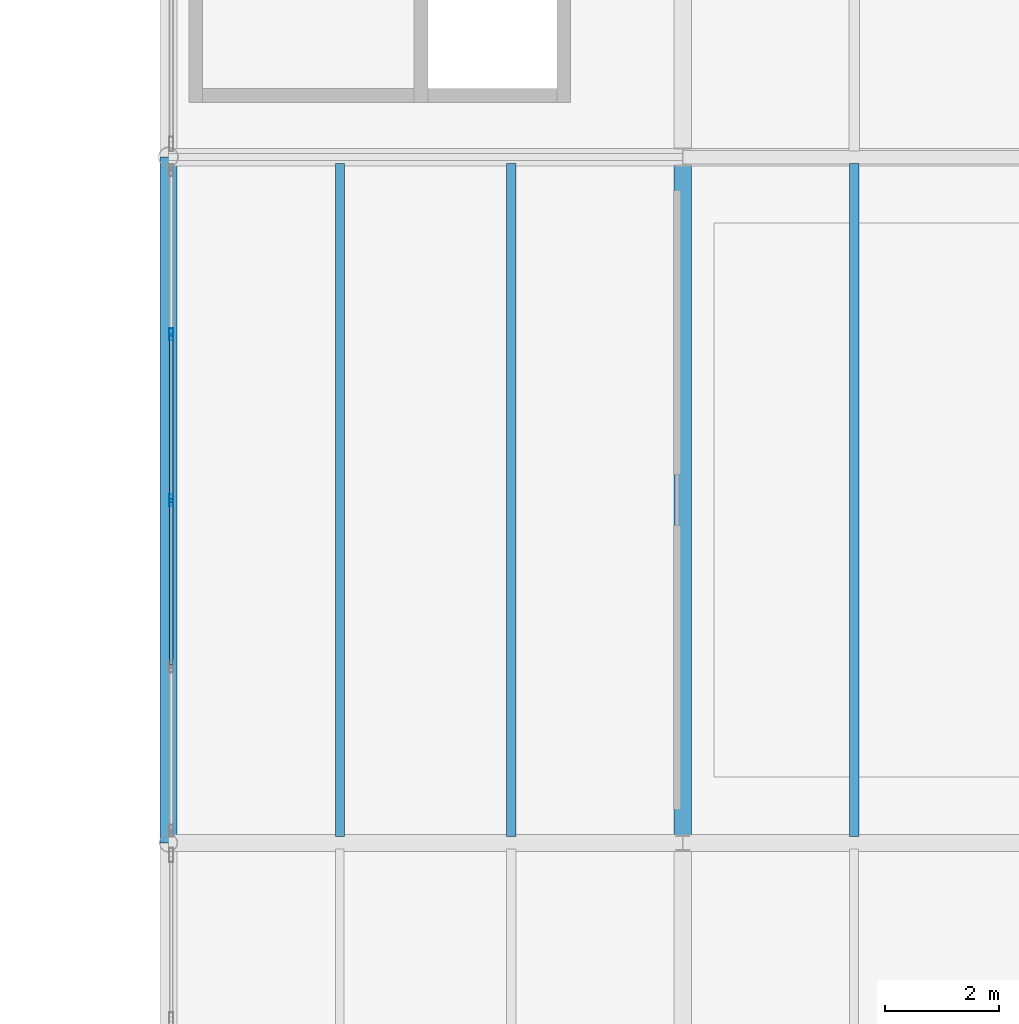
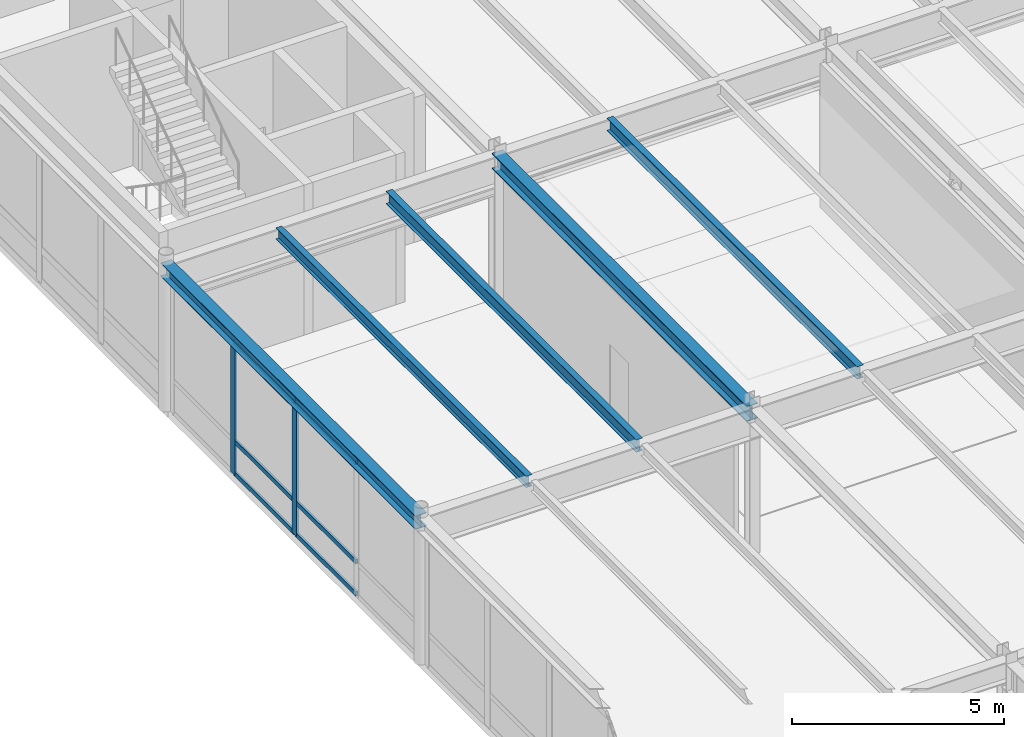
# One storey, part 44 of 127: 8 members, 5 beams, 1 element without a shape of its own.
"""IFC4 building model written with IfcOpenShell, lengths in metres."""

from ifc_helpers import new_model, si_unit, direction, frame, origin, origin_2d, place, context, subcontext, project, spatial, hollow_rectangle, i_section, extrude, material, layer, layer_set, material_profile, profile_set, type_object, element, aggregate, save


model = new_model("IFC4")

# Units and contexts
model_context = context("Model", 3, precision=1e-05, world=origin(), true_north=direction((0.0, 1.0)))
body_context = subcontext(model_context, "Body", "Model", "MODEL_VIEW")
ifc_project = project(units=[si_unit("LENGTHUNIT", "METRE"), si_unit("AREAUNIT", "SQUARE_METRE"), si_unit("VOLUMEUNIT", "CUBIC_METRE"), si_unit("PLANEANGLEUNIT", "RADIAN"), si_unit("MASSUNIT", "GRAM", prefix="KILO")], contexts=[model_context])

# Site, building, storey
site_placement = place(None, origin())
site = spatial("IfcSite", under=ifc_project, at=site_placement, CompositionType="ELEMENT")
building_placement = place(site_placement, origin())
building = spatial("IfcBuilding", under=site, at=building_placement, Name="Montelvaro Courts of Justice", CompositionType="ELEMENT")
storey_placement = place(building_placement, frame((0.0, 0.0, 5.39990234375)))
storey = spatial("IfcBuildingStorey", under=building, at=storey_placement, Name="L01", CompositionType="ELEMENT", Elevation=5.39990234375)

# Beams
ifc_material_1 = material(Name="Steel S355", Category="steel")
ifc_material_profile_1 = material_profile(ifc_material_1, i_section(OverallWidth=0.300048828125, OverallDepth=0.389892578125, WebThickness=0.010986328125, FlangeThickness=0.01904296875, at=origin_2d()), Name="HEA 400")
ifc_profile_set_1 = profile_set([ifc_material_profile_1], Name="Steel S355")
beam_type_1 = type_object("IfcBeamType", Name="Beam_HEA400", PredefinedType="USERDEFINED", material=ifc_profile_set_1)
beam_1_placement = place(storey_placement, frame((99.0, 54.0, 4.025146484375), z_axis=(0.0, 1.0, 0.0), x_axis=(-1.0, 0.0, 0.0)))
element("IfcBeam", 1, at=beam_1_placement, inside=storey, type_object=beam_type_1, Name="Beam B-17 L01", ObjectType="GIRDER", PredefinedType="USERDEFINED", context=body_context, shape_type="SweptSolid", body=[
    extrude(i_section(OverallWidth=0.300048828125, OverallDepth=0.389892578125, WebThickness=0.010986328125, FlangeThickness=0.01904296875, at=origin_2d()), origin(), (0.0, 0.0, 1.0), 12.0),
])
ifc_material_profile_2 = material_profile(ifc_material_1, i_section(OverallWidth=0.300048828125, OverallDepth=0.43994140625, WebThickness=0.011474609375, FlangeThickness=0.02099609375, at=origin_2d()), Name="HEA 450")
ifc_profile_set_2 = profile_set([ifc_material_profile_2], Name="Steel S355")
beam_type_2 = type_object("IfcBeamType", Name="Beam_HEA450", PredefinedType="USERDEFINED", material=ifc_profile_set_2)
beam_2_placement = place(storey_placement, frame((108.0, 54.0, 4.0), z_axis=(0.0, 1.0, 0.0), x_axis=(-1.0, 0.0, 0.0)))
element("IfcBeam", 2, at=beam_2_placement, inside=storey, type_object=beam_type_2, Name="Beam B-18 L01", ObjectType="GIRDER", PredefinedType="USERDEFINED", context=body_context, shape_type="SweptSolid", body=[
    extrude(i_section(OverallWidth=0.300048828125, OverallDepth=0.43994140625, WebThickness=0.011474609375, FlangeThickness=0.02099609375, at=origin_2d()), origin(), (0.0, 0.0, 1.0), 12.0),
])
ifc_material_profile_3 = material_profile(ifc_material_1, i_section(OverallWidth=0.159912109375, OverallDepth=0.330078125, WebThickness=0.007568359375, FlangeThickness=0.011474609375, at=origin_2d()), Name="IPE 330")
ifc_profile_set_3 = profile_set([ifc_material_profile_3], Name="Steel S355")
beam_type_3 = type_object("IfcBeamType", Name="Beam_IPE330", PredefinedType="BEAM", material=ifc_profile_set_3)
beam_3_placement = place(storey_placement, frame((102.0, 54.110107421875, 4.05517578125), z_axis=(0.0, 1.0, 0.0), x_axis=(-1.0, 0.0, 0.0)))
element("IfcBeam", 3, at=beam_3_placement, inside=storey, type_object=beam_type_3, Name="Beam B-06 L01", PredefinedType="BEAM", context=body_context, shape_type="SweptSolid", body=[
    extrude(i_section(OverallWidth=0.159912109375, OverallDepth=0.330078125, WebThickness=0.007568359375, FlangeThickness=0.011474609375, at=origin_2d()), origin(), (0.0, 0.0, 1.0), 11.77978515625),
])
ifc_material_profile_4 = material_profile(ifc_material_1, i_section(OverallWidth=0.169921875, OverallDepth=0.360107421875, WebThickness=0.008056640625, FlangeThickness=0.0126953125, at=origin_2d()), Name="IPE 360")
ifc_profile_set_4 = profile_set([ifc_material_profile_4], Name="Steel S355")
beam_type_4 = type_object("IfcBeamType", Name="Beam_IPE360", PredefinedType="BEAM", material=ifc_profile_set_4)
for number, where, z_axis, x_axis, name in (
    (4, (105.0, 54.110107421875, 4.0400390625), (0.0, 1.0, 0.0), (-1.0, 0.0, 0.0), "Beam B-07 L01"),
    (5, (111.0, 54.110107421875, 4.0400390625), (0.0, 1.0, 0.0), (-1.0, 0.0, 0.0), "Beam B-07 L01"),
):
    element("IfcBeam", number, at=place(storey_placement, frame(where, z_axis=z_axis, x_axis=x_axis)), inside=storey, type_object=beam_type_4, Name=name, PredefinedType="BEAM", context=body_context, shape_type="SweptSolid", body=[
        extrude(i_section(OverallWidth=0.169921875, OverallDepth=0.360107421875, WebThickness=0.008056640625, FlangeThickness=0.0126953125, at=origin_2d()), origin(), (0.0, 0.0, 1.0), 11.77978515625),
    ])

# Curtain wall, members
ifc_material_2 = material(Name="Anodised aluminium EN AW-6063", Category="aluminium")
ifc_layer = layer(ifc_material_2, 0.159912109375)
ifc_layer_set = layer_set([ifc_layer], Name="Anodised aluminium EN AW-6063")
curtain_wall_type = type_object("IfcCurtainWallType", Name="CurtainWall_16_1165x418", PredefinedType="USERDEFINED", material=ifc_layer_set)
curtain_wall_placement = place(storey_placement, origin())
curtain_wall = element("IfcCurtainWall", 6, at=curtain_wall_placement, inside=storey, type_object=curtain_wall_type, Name="Curtain Wall CW-16 (L01)", ObjectType="CURTAIN WALL", PredefinedType="USERDEFINED")
ifc_material_profile_5 = material_profile(ifc_material_2, hollow_rectangle(XDim=0.06494140625, YDim=0.2099609375, WallThickness=0.0048828125, at=origin_2d()), Name="ALU-M 65x210")
ifc_profile_set_5 = profile_set([ifc_material_profile_5], Name="Anodised aluminium EN AW-6063")
member_type_1 = type_object("IfcMemberType", Name="CurtainWall_Mullion_65x210", PredefinedType="MULLION", material=ifc_profile_set_5)
member_1_placement = place(storey_placement, frame((99.050048828125, 62.899658203125, 0.0), z_axis=(0.0, 0.0, 1.0), x_axis=(1.0, 0.0, 0.0)))
member_1 = element("IfcMember", 7, at=member_1_placement, type_object=member_type_1, Name="CW-16 mullion 2", PredefinedType="MULLION", context=body_context, shape_type="SweptSolid", body=[
    extrude(hollow_rectangle(XDim=0.06494140625, YDim=0.2099609375, WallThickness=0.0048828125, at=origin_2d()), origin(), (0.0, 0.0, 1.0), 3.8251953125),
])
member_2_placement = place(storey_placement, frame((99.050048828125, 59.991943359375, 0.0), z_axis=(0.0, 0.0, 1.0), x_axis=(1.0, 0.0, 0.0)))
member_2 = element("IfcMember", 8, at=member_2_placement, type_object=member_type_1, Name="CW-16 mullion 3", PredefinedType="MULLION", context=body_context, shape_type="SweptSolid", body=[
    extrude(hollow_rectangle(XDim=0.06494140625, YDim=0.2099609375, WallThickness=0.0048828125, at=origin_2d()), origin(), (0.0, 0.0, 1.0), 3.8251953125),
])
ifc_material_profile_6 = material_profile(ifc_material_2, hollow_rectangle(XDim=0.06005859375, YDim=0.1298828125, WallThickness=0.00390625, at=origin_2d()), Name="ALU-T 60x130")
ifc_profile_set_6 = profile_set([ifc_material_profile_6], Name="Anodised aluminium EN AW-6063")
member_type_2 = type_object("IfcMemberType", Name="CurtainWall_Transom_60x130", PredefinedType="USERDEFINED", material=ifc_profile_set_6)
member_3_placement = place(storey_placement, frame((99.050048828125, 62.8671875, 0.030029296875), z_axis=(0.0, -1.0, 0.0), x_axis=(1.0, 0.0, 0.0)))
member_3 = element("IfcMember", 9, at=member_3_placement, type_object=member_type_2, Name="CW-16 transom 2.1", ObjectType="TRANSOM", PredefinedType="USERDEFINED", context=body_context, shape_type="SweptSolid", body=[
    extrude(hollow_rectangle(XDim=0.06005859375, YDim=0.1298828125, WallThickness=0.00390625, at=origin_2d()), origin(), (0.0, 0.0, 1.0), 2.842529296875),
])
member_4_placement = place(storey_placement, frame((99.050048828125, 62.8671875, 0.9501953125), z_axis=(0.0, -1.0, 0.0), x_axis=(1.0, 0.0, 0.0)))
member_4 = element("IfcMember", 10, at=member_4_placement, type_object=member_type_2, Name="CW-16 transom 2.2", ObjectType="TRANSOM", PredefinedType="USERDEFINED", context=body_context, shape_type="SweptSolid", body=[
    extrude(hollow_rectangle(XDim=0.06005859375, YDim=0.1298828125, WallThickness=0.00390625, at=origin_2d()), origin(), (0.0, 0.0, 1.0), 2.842529296875),
])
member_5_placement = place(storey_placement, frame((99.050048828125, 62.8671875, 3.795166015625), z_axis=(0.0, -1.0, 0.0), x_axis=(1.0, 0.0, 0.0)))
member_5 = element("IfcMember", 11, at=member_5_placement, type_object=member_type_2, Name="CW-16 transom 2.3", ObjectType="TRANSOM", PredefinedType="USERDEFINED", context=body_context, shape_type="SweptSolid", body=[
    extrude(hollow_rectangle(XDim=0.06005859375, YDim=0.1298828125, WallThickness=0.00390625, at=origin_2d()), origin(), (0.0, 0.0, 1.0), 2.842529296875),
])
member_6_placement = place(storey_placement, frame((99.050048828125, 59.95947265625, 0.030029296875), z_axis=(0.0, -1.0, 0.0), x_axis=(1.0, 0.0, 0.0)))
member_6 = element("IfcMember", 12, at=member_6_placement, type_object=member_type_2, Name="CW-16 transom 3.1", ObjectType="TRANSOM", PredefinedType="USERDEFINED", context=body_context, shape_type="SweptSolid", body=[
    extrude(hollow_rectangle(XDim=0.06005859375, YDim=0.1298828125, WallThickness=0.00390625, at=origin_2d()), origin(), (0.0, 0.0, 1.0), 2.842529296875),
])
member_7_placement = place(storey_placement, frame((99.050048828125, 59.95947265625, 0.9501953125), z_axis=(0.0, -1.0, 0.0), x_axis=(1.0, 0.0, 0.0)))
member_7 = element("IfcMember", 13, at=member_7_placement, type_object=member_type_2, Name="CW-16 transom 3.2", ObjectType="TRANSOM", PredefinedType="USERDEFINED", context=body_context, shape_type="SweptSolid", body=[
    extrude(hollow_rectangle(XDim=0.06005859375, YDim=0.1298828125, WallThickness=0.00390625, at=origin_2d()), origin(), (0.0, 0.0, 1.0), 2.842529296875),
])
member_8_placement = place(storey_placement, frame((99.050048828125, 59.95947265625, 3.795166015625), z_axis=(0.0, -1.0, 0.0), x_axis=(1.0, 0.0, 0.0)))
member_8 = element("IfcMember", 14, at=member_8_placement, type_object=member_type_2, Name="CW-16 transom 3.3", ObjectType="TRANSOM", PredefinedType="USERDEFINED", context=body_context, shape_type="SweptSolid", body=[
    extrude(hollow_rectangle(XDim=0.06005859375, YDim=0.1298828125, WallThickness=0.00390625, at=origin_2d()), origin(), (0.0, 0.0, 1.0), 2.842529296875),
])
aggregate(curtain_wall, [member_1, member_2, member_3, member_4, member_5, member_6, member_7, member_8])

save(model, "model.ifc")
